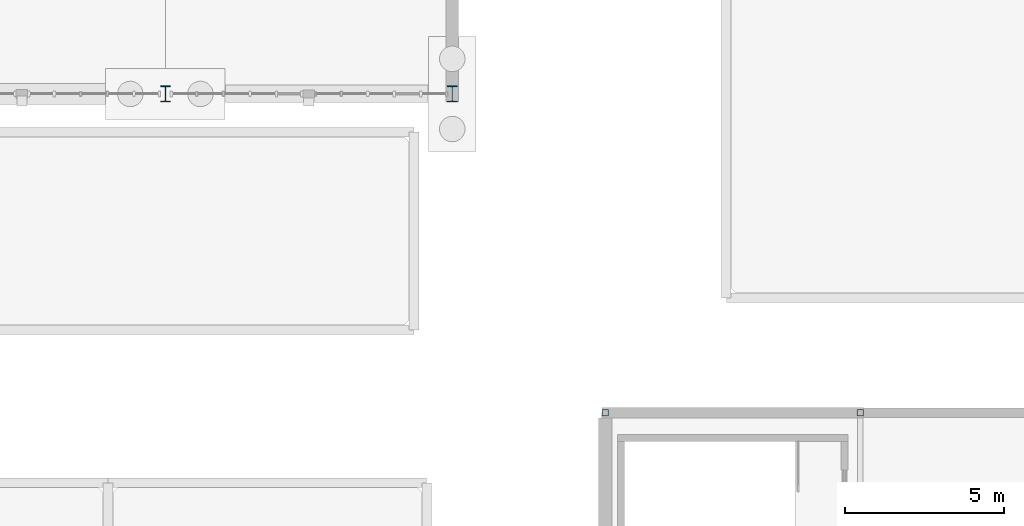
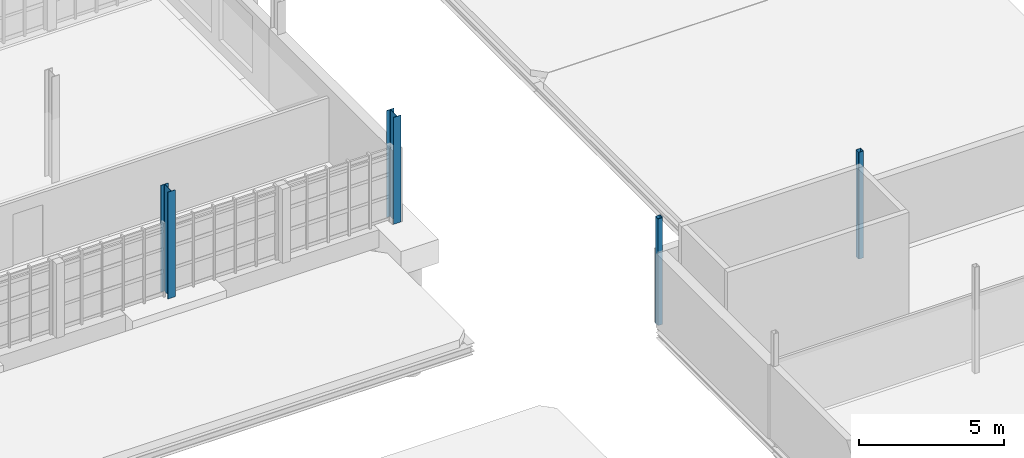
# One storey, part 10 of 125: 4 columns.
"""IFC4 building model written with IfcOpenShell, lengths in metres."""

from ifc_helpers import new_model, si_unit, direction, frame, origin, origin_2d, place, context, subcontext, project, spatial, hollow_rectangle, i_section, extrude, material, material_profile, profile_set, type_object, element, save


model = new_model("IFC4")

# Units and contexts
model_context = context("Model", 3, precision=1e-05, world=origin(), true_north=direction((0.0, 1.0)))
body_context = subcontext(model_context, "Body", "Model", "MODEL_VIEW")
ifc_project = project(units=[si_unit("LENGTHUNIT", "METRE"), si_unit("AREAUNIT", "SQUARE_METRE"), si_unit("VOLUMEUNIT", "CUBIC_METRE"), si_unit("PLANEANGLEUNIT", "RADIAN"), si_unit("MASSUNIT", "GRAM", prefix="KILO")], contexts=[model_context])

# Site, building, storey
site_placement = place(None, origin())
site = spatial("IfcSite", under=ifc_project, at=site_placement, CompositionType="ELEMENT")
building_placement = place(site_placement, origin())
building = spatial("IfcBuilding", under=site, at=building_placement, Name="Serraforn Aerial Cableway Station", CompositionType="ELEMENT")
storey_placement = place(building_placement, frame((0.0, 0.0, 4.5)))
storey = spatial("IfcBuildingStorey", under=building, at=storey_placement, Name="L01", CompositionType="ELEMENT", Elevation=4.5)

# Columns
ifc_material = material(Name="Steel S355J2", Category="steel")
ifc_material_profile_1 = material_profile(ifc_material, i_section(OverallWidth=0.300048828125, OverallDepth=0.5, WebThickness=0.011962890625, FlangeThickness=0.02294921875, FilletRadius=0.027099609375, at=origin_2d()), Name="HEA 500")
ifc_profile_set_1 = profile_set([ifc_material_profile_1], Name="Steel S355J2")
column_type_1 = type_object("IfcColumnType", Name="COL-ST-HEA500", PredefinedType="COLUMN", material=ifc_profile_set_1)
for number, where, z_axis, x_axis, name in (
    (1, (130.199951171875, 26.0, 0.0), (0.0, 0.0, 1.0), (1.0, 0.0, 0.0), "Column EL L01 17-D1"),
    (2, (139.199951171875, 26.0, 0.0), (0.0, 0.0, 1.0), (1.0, 0.0, 0.0), "Column EL L01 18-D1"),
):
    element("IfcColumn", number, at=place(storey_placement, frame(where, z_axis=z_axis, x_axis=x_axis)), inside=storey, type_object=column_type_1, Name=name, PredefinedType="COLUMN", context=body_context, shape_type="SweptSolid", body=[
        extrude(i_section(OverallWidth=0.300048828125, OverallDepth=0.5, WebThickness=0.011962890625, FlangeThickness=0.02294921875, FilletRadius=0.027099609375, at=origin_2d()), origin(), (0.0, 0.0, 1.0), 4.5),
    ])
ifc_material_profile_2 = material_profile(ifc_material, hollow_rectangle(XDim=0.199951171875, YDim=0.199951171875, WallThickness=0.010009765625, InnerFilletRadius=0.010009765625, OuterFilletRadius=0.02001953125, at=origin_2d()), Name="SHS 200x200x10.0")
ifc_profile_set_2 = profile_set([ifc_material_profile_2], Name="Steel S355J2")
column_type_2 = type_object("IfcColumnType", Name="COL-ST-SHS200", PredefinedType="COLUMN", material=ifc_profile_set_2)
for number, where, z_axis, x_axis, name in (
    (3, (144.0, 16.0, 0.0), (0.0, 0.0, 1.0), (1.0, 0.0, 0.0), "Column ES L01 19-B3"),
    (4, (152.0, 16.0, 0.0), (0.0, 0.0, 1.0), (1.0, 0.0, 0.0), "Column ES L01 20-B3"),
):
    element("IfcColumn", number, at=place(storey_placement, frame(where, z_axis=z_axis, x_axis=x_axis)), inside=storey, type_object=column_type_2, Name=name, PredefinedType="COLUMN", context=body_context, shape_type="SweptSolid", body=[
        extrude(hollow_rectangle(XDim=0.199951171875, YDim=0.199951171875, WallThickness=0.010009765625, InnerFilletRadius=0.010009765625, OuterFilletRadius=0.02001953125, at=origin_2d()), origin(), (0.0, 0.0, 1.0), 4.5),
    ])

save(model, "model.ifc")
